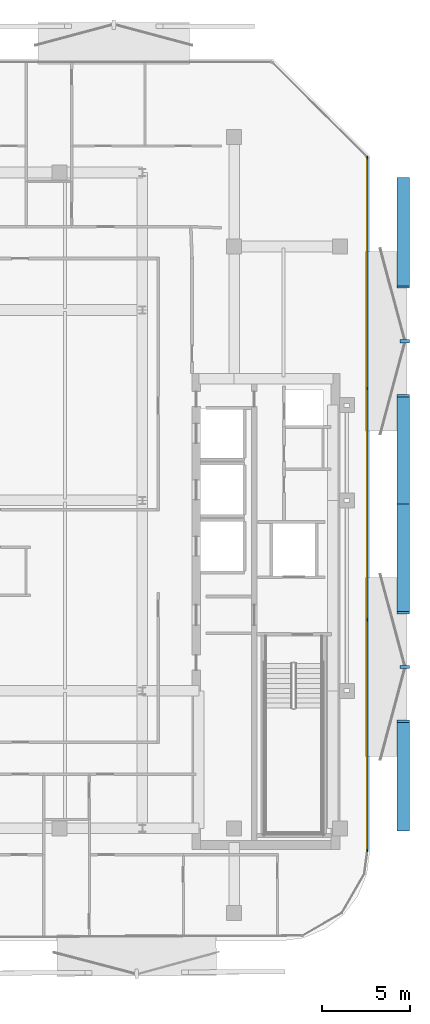
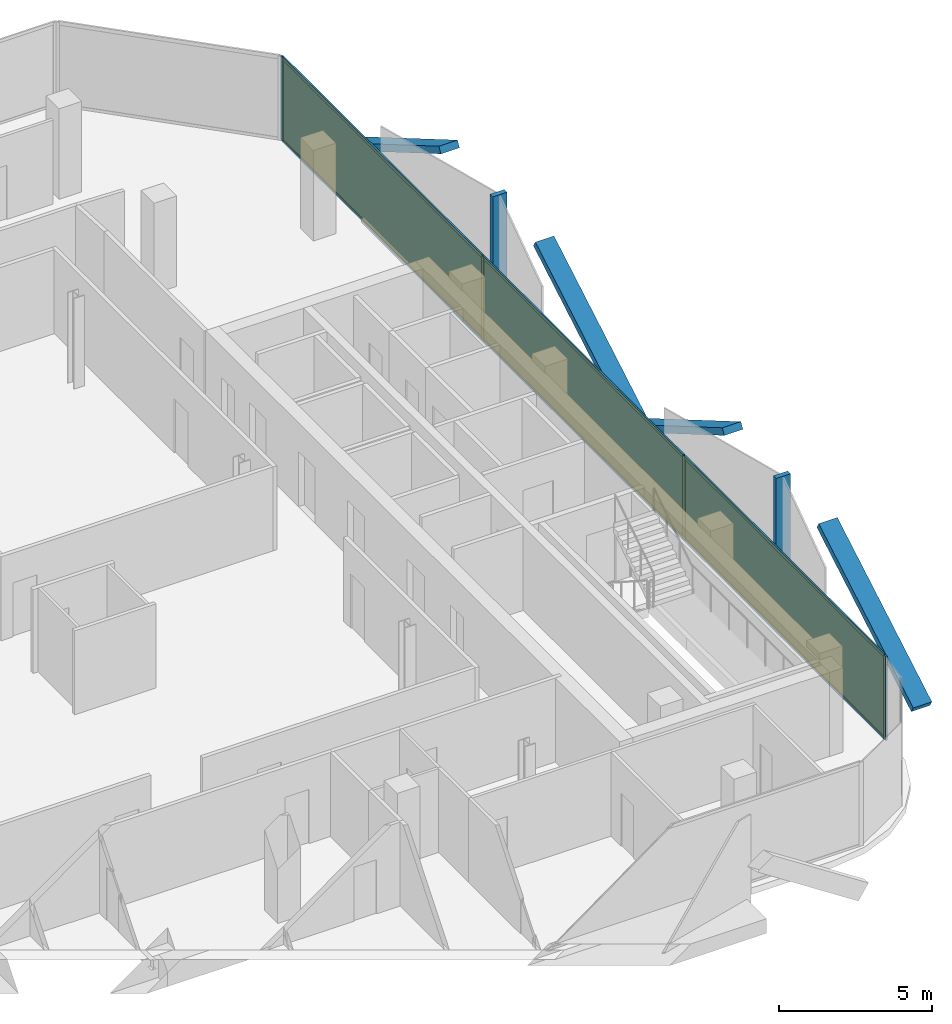
# One storey, part 10 of 15: 16 members, 3 plates, 1 curtain wall.
"""IFC4 building model written with IfcOpenShell, lengths in metres."""

from ifc_helpers import new_model, si_unit, direction, frame, frame_2d, origin, origin_2d, place, context, subcontext, project, spatial, rectangle, extrude, material, layer, layer_set, material_profile, profile_set, type_object, element, aggregate, save


model = new_model("IFC4")

# Units and contexts
model_context = context("Model", 3, precision=1e-05, world=origin(), true_north=direction((0.0, 1.0)))
body_context = subcontext(model_context, "Body", "Model", "MODEL_VIEW")
ifc_project = project(units=[si_unit("LENGTHUNIT", "METRE"), si_unit("AREAUNIT", "SQUARE_METRE"), si_unit("VOLUMEUNIT", "CUBIC_METRE"), si_unit("PLANEANGLEUNIT", "RADIAN"), si_unit("MASSUNIT", "GRAM", prefix="KILO")], contexts=[model_context])

# Member
ifc_material_1 = material(Name="Anodised Bronze Aluminium 6063-T6", Category="aluminium")
ifc_material_profile_1 = material_profile(ifc_material_1, rectangle(XDim=0.260009765625, YDim=0.699951171875, at=origin_2d()))
ifc_profile_set_1 = profile_set([ifc_material_profile_1], Name="Anodised Bronze Aluminium 6063-T6")
member_type_1 = type_object("IfcMemberType", Name="Bronze Diamond Solar-Screen Lattice Rib BDL-700", PredefinedType="MULLION", material=ifc_profile_set_1)
site_placement = place(None, origin())
building_placement = place(site_placement, origin())
storey_placement = place(building_placement, frame((0.0, 0.0, 244.0)))
member_1_placement = place(storey_placement, frame((24.0, 18.261962890625, -0.1298828125), z_axis=(0.0, -0.863334185178, 0.504632623502), x_axis=(0.0, -0.504632623502, -0.863334185178)))
member_1 = element("IfcMember", 1, at=member_1_placement, type_object=member_type_1, Name="L57 Bronze Diamond Solar Screen Lattice Rib 391A", PredefinedType="MULLION", context=body_context, shape_type="SweptSolid", body=[
    extrude(rectangle(XDim=0.260009765625, YDim=0.699951171875, at=origin_2d()), origin(), (0.0, 0.0, 1.0), 7.133544921875),
])

member_2_placement = place(storey_placement, frame((24.0, -0.21435546875, -0.1298828125), z_axis=(0.0, 0.863334185178, 0.504632623502), x_axis=(0.0, 0.504632623502, -0.863334185178)))
member_2 = element("IfcMember", 2, at=member_2_placement, type_object=member_type_1, Name="L57 Bronze Diamond Solar Screen Lattice Rib 391B", PredefinedType="MULLION", context=body_context, shape_type="SweptSolid", body=[
    extrude(rectangle(XDim=0.260009765625, YDim=0.699951171875, at=origin_2d()), origin(), (0.0, 0.0, 1.0), 7.133544921875),
])

member_3_placement = place(storey_placement, frame((24.0, -0.21435546875, -0.1298828125), z_axis=(0.0, -0.863342900069, 0.504617713621), x_axis=(0.0, -0.504617713621, -0.863342900069)))
member_3 = element("IfcMember", 3, at=member_3_placement, type_object=member_type_1, Name="L57 Bronze Diamond Solar Screen Lattice Rib 392A", PredefinedType="MULLION", context=body_context, shape_type="SweptSolid", body=[
    extrude(rectangle(XDim=0.260009765625, YDim=0.699951171875, at=origin_2d()), origin(), (0.0, 0.0, 1.0), 7.1337890625),
])

member_4_placement = place(storey_placement, frame((24.0, -18.69091796875, -0.1298828125), z_axis=(0.0, 0.863342900069, 0.504617713621), x_axis=(0.0, 0.504617713621, -0.863342900069)))
member_4 = element("IfcMember", 4, at=member_4_placement, type_object=member_type_1, Name="L57 Bronze Diamond Solar Screen Lattice Rib 392B", PredefinedType="MULLION", context=body_context, shape_type="SweptSolid", body=[
    extrude(rectangle(XDim=0.260009765625, YDim=0.699951171875, at=origin_2d()), origin(), (0.0, 0.0, 1.0), 7.1337890625),
])

ifc_material_2 = material(Name="Anodised Bronze Aluminium 6063-T6", Category="aluminium")
ifc_material_profile_2 = material_profile(ifc_material_2, rectangle(XDim=0.179931640625, YDim=0.5400390625, at=origin_2d()))
ifc_profile_set_2 = profile_set([ifc_material_profile_2], Name="Anodised Bronze Aluminium 6063-T6")
member_type_2 = type_object("IfcMemberType", Name="Bronze Solar-Screen Vertical Fold Fin BSF-540", PredefinedType="MULLION", material=ifc_profile_set_2)
member_5_placement = place(storey_placement, frame((24.080078125, 9.023681640625, -0.1298828125), z_axis=(0.0, 0.0, 1.0), x_axis=(0.0, -1.0, 0.0)))
member_5 = element("IfcMember", 5, at=member_5_placement, type_object=member_type_2, Name="L57 Bronze Solar Screen Vertical Fin 391", PredefinedType="MULLION", context=body_context, shape_type="SweptSolid", body=[
    extrude(rectangle(XDim=0.179931640625, YDim=0.5400390625, at=origin_2d()), origin(), (0.0, 0.0, 1.0), 3.599853515625),
])

member_6_placement = place(storey_placement, frame((24.080078125, -9.45263671875, -0.1298828125), z_axis=(0.0, 0.0, 1.0), x_axis=(0.0, -1.0, 0.0)))
member_6 = element("IfcMember", 6, at=member_6_placement, type_object=member_type_2, Name="L57 Bronze Solar Screen Vertical Fin 392", PredefinedType="MULLION", context=body_context, shape_type="SweptSolid", body=[
    extrude(rectangle(XDim=0.179931640625, YDim=0.5400390625, at=origin_2d()), origin(), (0.0, 0.0, 1.0), 3.599853515625),
])

ifc_material_3 = material(Name="Anodised Bronze Aluminium 6063-T6", Category="aluminium")
ifc_material_profile_3 = material_profile(ifc_material_3, rectangle(XDim=0.06005859375, YDim=0.159912109375, at=origin_2d()))
ifc_profile_set_3 = profile_set([ifc_material_profile_3], Name="Anodised Bronze Aluminium 6063-T6")
member_type_3 = type_object("IfcMemberType", Name="CW-Z4 Mullion 60x160", PredefinedType="MULLION", material=ifc_profile_set_3)
member_7_placement = place(storey_placement, frame((21.9599609375, 19.431884765625, 0.0), z_axis=(0.0, 0.0, 1.0), x_axis=(1.0, 0.0, 0.0)))
member_7 = element("IfcMember", 7, at=member_7_placement, type_object=member_type_3, Name="CW-Z4 mullion 1", PredefinedType="MULLION", context=body_context, shape_type="SweptSolid", body=[
    extrude(rectangle(XDim=0.06005859375, YDim=0.159912109375, at=origin_2d()), origin(), (0.0, 0.0, 1.0), 3.340087890625),
])

member_8_placement = place(storey_placement, frame((21.9599609375, 6.344482421875, 0.0), z_axis=(0.0, 0.0, 1.0), x_axis=(1.0, 0.0, 0.0)))
member_8 = element("IfcMember", 8, at=member_8_placement, type_object=member_type_3, Name="CW-Z4 mullion 2", PredefinedType="MULLION", context=body_context, shape_type="SweptSolid", body=[
    extrude(rectangle(XDim=0.06005859375, YDim=0.159912109375, at=origin_2d()), origin(), (0.0, 0.0, 1.0), 3.340087890625),
])

member_9_placement = place(storey_placement, frame((21.9599609375, -6.773193359375, 0.0), z_axis=(0.0, 0.0, 1.0), x_axis=(1.0, 0.0, 0.0)))
member_9 = element("IfcMember", 9, at=member_9_placement, type_object=member_type_3, Name="CW-Z4 mullion 3", PredefinedType="MULLION", context=body_context, shape_type="SweptSolid", body=[
    extrude(rectangle(XDim=0.06005859375, YDim=0.159912109375, at=origin_2d()), origin(), (0.0, 0.0, 1.0), 3.340087890625),
])

member_10_placement = place(storey_placement, frame((21.9599609375, -19.86083984375, 0.0), z_axis=(0.0, 0.0, 1.0), x_axis=(1.0, 0.0, 0.0)))
member_10 = element("IfcMember", 10, at=member_10_placement, type_object=member_type_3, Name="CW-Z4 mullion 4", PredefinedType="MULLION", context=body_context, shape_type="SweptSolid", body=[
    extrude(rectangle(XDim=0.06005859375, YDim=0.159912109375, at=origin_2d()), origin(), (0.0, 0.0, 1.0), 3.340087890625),
])

ifc_material_4 = material(Name="Anodised Bronze Aluminium 6063-T6", Category="aluminium")
ifc_material_profile_4 = material_profile(ifc_material_4, rectangle(XDim=0.06005859375, YDim=0.125, at=origin_2d()))
ifc_profile_set_4 = profile_set([ifc_material_profile_4], Name="Anodised Bronze Aluminium 6063-T6")
member_type_4 = type_object("IfcMemberType", Name="CW-Z4 Transom 60x125", PredefinedType="USERDEFINED", material=ifc_profile_set_4)
member_11_placement = place(storey_placement, frame((21.9599609375, 19.402099609375, 0.030029296875), z_axis=(0.0, -1.0, 0.0), x_axis=(1.0, 0.0, 0.0)))
member_11 = element("IfcMember", 11, at=member_11_placement, type_object=member_type_4, Name="CW-Z4 transom 1.1", ObjectType="TRANSOM", PredefinedType="USERDEFINED", context=body_context, shape_type="SweptSolid", body=[
    extrude(rectangle(XDim=0.06005859375, YDim=0.125, at=origin_2d()), origin(), (0.0, 0.0, 1.0), 13.027587890625),
])

member_12_placement = place(storey_placement, frame((21.9599609375, 19.402099609375, 3.31005859375), z_axis=(0.0, -1.0, 0.0), x_axis=(1.0, 0.0, 0.0)))
member_12 = element("IfcMember", 12, at=member_12_placement, type_object=member_type_4, Name="CW-Z4 transom 1.2", ObjectType="TRANSOM", PredefinedType="USERDEFINED", context=body_context, shape_type="SweptSolid", body=[
    extrude(rectangle(XDim=0.06005859375, YDim=0.125, at=origin_2d()), origin(), (0.0, 0.0, 1.0), 13.027587890625),
])

member_13_placement = place(storey_placement, frame((21.9599609375, 6.314453125, 0.030029296875), z_axis=(0.0, -1.0, 0.0), x_axis=(1.0, 0.0, 0.0)))
member_13 = element("IfcMember", 13, at=member_13_placement, type_object=member_type_4, Name="CW-Z4 transom 2.1", ObjectType="TRANSOM", PredefinedType="USERDEFINED", context=body_context, shape_type="SweptSolid", body=[
    extrude(rectangle(XDim=0.06005859375, YDim=0.125, at=origin_2d()), origin(), (0.0, 0.0, 1.0), 13.0576171875),
])

member_14_placement = place(storey_placement, frame((21.9599609375, 6.314453125, 3.31005859375), z_axis=(0.0, -1.0, 0.0), x_axis=(1.0, 0.0, 0.0)))
member_14 = element("IfcMember", 14, at=member_14_placement, type_object=member_type_4, Name="CW-Z4 transom 2.2", ObjectType="TRANSOM", PredefinedType="USERDEFINED", context=body_context, shape_type="SweptSolid", body=[
    extrude(rectangle(XDim=0.06005859375, YDim=0.125, at=origin_2d()), origin(), (0.0, 0.0, 1.0), 13.0576171875),
])

member_15_placement = place(storey_placement, frame((21.9599609375, -6.80322265625, 0.030029296875), z_axis=(0.0, -1.0, 0.0), x_axis=(1.0, 0.0, 0.0)))
member_15 = element("IfcMember", 15, at=member_15_placement, type_object=member_type_4, Name="CW-Z4 transom 3.1", ObjectType="TRANSOM", PredefinedType="USERDEFINED", context=body_context, shape_type="SweptSolid", body=[
    extrude(rectangle(XDim=0.06005859375, YDim=0.125, at=origin_2d()), origin(), (0.0, 0.0, 1.0), 13.027587890625),
])

member_16_placement = place(storey_placement, frame((21.9599609375, -6.80322265625, 3.31005859375), z_axis=(0.0, -1.0, 0.0), x_axis=(1.0, 0.0, 0.0)))
member_16 = element("IfcMember", 16, at=member_16_placement, type_object=member_type_4, Name="CW-Z4 transom 3.2", ObjectType="TRANSOM", PredefinedType="USERDEFINED", context=body_context, shape_type="SweptSolid", body=[
    extrude(rectangle(XDim=0.06005859375, YDim=0.125, at=origin_2d()), origin(), (0.0, 0.0, 1.0), 13.027587890625),
])

# Plate
ifc_material_5 = material(Name="Low-E Solar Control Laminated Glass", Category="glass")
ifc_layer_1 = layer(ifc_material_5, 0.030029296875, Name="Low-E Solar Control Laminated Glass")
ifc_layer_set_1 = layer_set([ifc_layer_1], Name="Low-E Solar Control Laminated Glass")
plate_type = type_object("IfcPlateType", Name="CW-Z4 Low-E Double Glazed Panel 30mm", PredefinedType="CURTAIN_PANEL", material=ifc_layer_set_1)
plate_1_placement = place(storey_placement, frame((21.9599609375, 12.88818359375, 0.06005859375), z_axis=(0.0, 0.0, 1.0), x_axis=(0.0, -1.0, 0.0)))
plate_1 = element("IfcPlate", 17, at=plate_1_placement, type_object=plate_type, Name="CW-Z4 panel 1.1", PredefinedType="CURTAIN_PANEL", context=body_context, shape_type="SweptSolid", body=[
    extrude(rectangle(XDim=13.027587890625, YDim=0.030029296875, at=origin_2d()), origin(), (0.0, 0.0, 1.0), 3.219970703125),
])

plate_2_placement = place(storey_placement, frame((21.9599609375, -0.21435546875, 0.06005859375), z_axis=(0.0, 0.0, 1.0), x_axis=(0.0, -1.0, 0.0)))
plate_2 = element("IfcPlate", 18, at=plate_2_placement, type_object=plate_type, Name="CW-Z4 panel 2.1", PredefinedType="CURTAIN_PANEL", context=body_context, shape_type="SweptSolid", body=[
    extrude(rectangle(XDim=13.0576171875, YDim=0.030029296875, at=origin_2d()), origin(), (0.0, 0.0, 1.0), 3.219970703125),
])

plate_3_placement = place(storey_placement, frame((21.9599609375, -13.31689453125, 0.06005859375), z_axis=(0.0, 0.0, 1.0), x_axis=(0.0, -1.0, 0.0)))
plate_3 = element("IfcPlate", 19, at=plate_3_placement, type_object=plate_type, Name="CW-Z4 panel 3.1", PredefinedType="CURTAIN_PANEL", context=body_context, shape_type="SweptSolid", body=[
    extrude(rectangle(XDim=13.027587890625, YDim=0.030029296875, at=origin_2d()), origin(), (0.0, 0.0, 1.0), 3.219970703125),
])

# Site, building, storey
site = spatial("IfcSite", under=ifc_project, at=site_placement, CompositionType="ELEMENT")
building = spatial("IfcBuilding", under=site, at=building_placement, Name="Khairoan Windgate Tower", CompositionType="ELEMENT")
storey = spatial("IfcBuildingStorey", under=building, at=storey_placement, Name="L57", CompositionType="ELEMENT", Elevation=244.0)

# Curtain wall
ifc_material_6 = material(Name="Anodised Bronze Aluminium 6063-T6", Category="aluminium")
ifc_layer_2 = layer(ifc_material_6, 0.159912109375, Name="Anodised Bronze Aluminium 6063-T6")
ifc_layer_set_2 = layer_set([ifc_layer_2], Name="Anodised Bronze Aluminium 6063-T6")
curtain_wall_type = type_object("IfcCurtainWallType", Name="Sky Residence Unitised Curtain Wall CW-Z4", PredefinedType="NOTDEFINED", material=ifc_layer_set_2)
curtain_wall_placement = place(storey_placement, frame((21.9599609375, 19.4619140625, 0.0), z_axis=(0.0, 0.0, 1.0), x_axis=(0.0, -1.0, 0.0)))
curtain_wall = element("IfcCurtainWall", 20, at=curtain_wall_placement, inside=storey, type_object=curtain_wall_type, Name="L57 Unitised Curtain Wall 11", PredefinedType="NOTDEFINED", context=body_context, shape_type="SweptSolid", body=[
    extrude(rectangle(XDim=39.352783203125, YDim=0.010009765625, at=frame_2d((19.67626953125, 0.0))), origin(), (0.0, 0.0, 1.0), 3.340087890625),
])

aggregate(curtain_wall, [member_7, member_8, member_9, member_10, member_11, member_12, plate_1, member_13, member_14, plate_2, member_15, member_16, plate_3, member_1, member_2, member_5, member_3, member_4, member_6])

save(model, "model.ifc")
